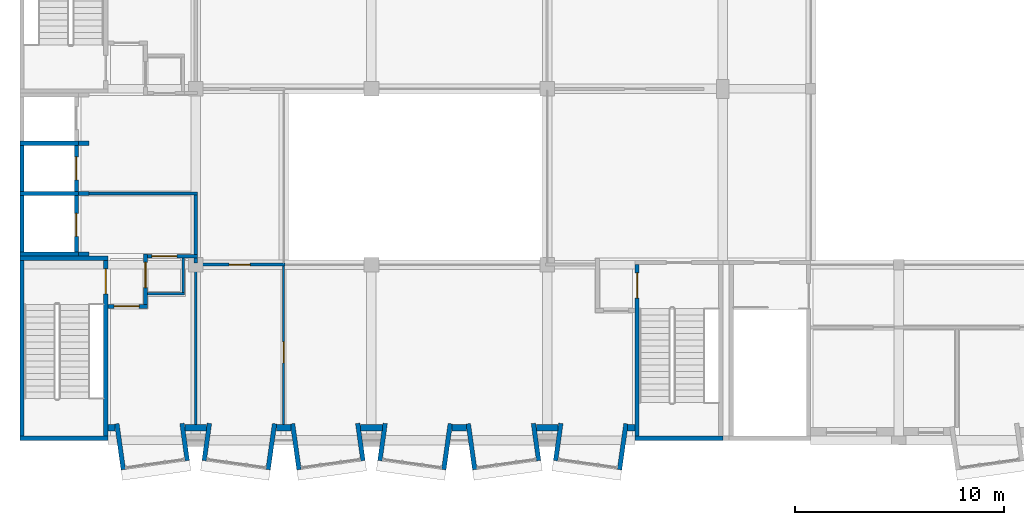
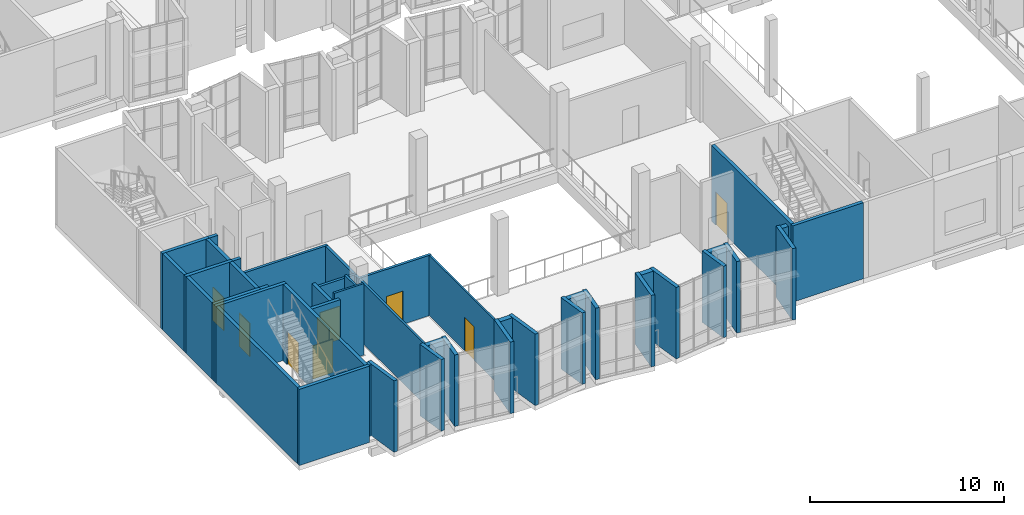
# One storey, part 64 of 100: 46 walls, 9 doors, 9 openings.
"""IFC4 building model written with IfcOpenShell, lengths in metres."""

from ifc_helpers import new_model, si_unit, direction, frame, frame_2d, origin, place, context, subcontext, project, spatial, rectangle, extrude, material, layer, layer_set, type_object, element, fill, save


model = new_model("IFC4")

# Units and contexts
model_context = context("Model", 3, precision=1e-05, world=origin(), true_north=direction((0.0, 1.0)))
body_context = subcontext(model_context, "Body", "Model", "MODEL_VIEW")
ifc_project = project(units=[si_unit("LENGTHUNIT", "METRE"), si_unit("AREAUNIT", "SQUARE_METRE"), si_unit("VOLUMEUNIT", "CUBIC_METRE"), si_unit("PLANEANGLEUNIT", "RADIAN"), si_unit("MASSUNIT", "GRAM", prefix="KILO")], contexts=[model_context])

# Site, building, storey
site_placement = place(None, origin())
site = spatial("IfcSite", under=ifc_project, at=site_placement, CompositionType="ELEMENT")
building_placement = place(site_placement, origin())
building = spatial("IfcBuilding", under=site, at=building_placement, Name="Kiln Court Media Centre", CompositionType="ELEMENT")
storey_placement = place(building_placement, frame((0.0, 0.0, 15.0)))
storey = spatial("IfcBuildingStorey", under=building, at=storey_placement, Name="L03", CompositionType="ELEMENT", Elevation=15.0)

# Wall, opening, door
ifc_material_1 = material(Name="Concrete block masonry M7.5", Category="masonry")
ifc_layer_1 = layer(ifc_material_1, 0.14990234375)
ifc_layer_set_1 = layer_set([ifc_layer_1], Name="Block lobby wall 150 EI 120")
wall_type_1 = type_object("IfcWallType", Name="Block lobby wall 150 EI 120", PredefinedType="SOLIDWALL", material=ifc_layer_set_1)
wall_1_placement = place(storey_placement, frame((6.10009765625, 8.800048828125, 0.0), z_axis=(0.0, 0.0, 1.0), x_axis=(1.0, 0.0, 0.0)))
wall_1 = element("IfcWall", 1, at=wall_1_placement, inside=storey, type_object=wall_type_1, Name="L03 block lobby wall", PredefinedType="SOLIDWALL", context=body_context, shape_type="SweptSolid", body=[
    extrude(rectangle(XDim=2.375, YDim=0.14990234375, at=frame_2d((1.1875, 0.0))), origin(), (0.0, 0.0, 1.0), 3.800048828125),
])
opening_1_placement = place(wall_1_placement, frame((0.199951171875, 0.0, 0.0)))
opening_1 = element("IfcOpeningElement", 2, at=opening_1_placement, cuts=wall_1, Name="Opening D3042", PredefinedType="OPENING", context=body_context, shape_type="SweptSolid", body=[
    extrude(rectangle(XDim=1.199951171875, YDim=2.10009765625, at=frame_2d((0.60009765625, 1.050048828125))), frame((0.0, 0.0849609375, 0.0), z_axis=(0.0, -1.0, 0.0), x_axis=(1.0, 0.0, 0.0)), (0.0, 0.0, 1.0), 0.169921875),
])
ifc_material_2 = material(Name="Steel S275", Category="steel")
door_type_1 = type_object("IfcDoorType", Name="Steel lobby door 1200 x 2100 FD120", OperationType="SINGLE_SWING_LEFT", PredefinedType="DOOR", material=ifc_material_2)
door_1_placement = place(opening_1_placement, origin())
door_1 = element("IfcDoor", 3, at=door_1_placement, inside=storey, type_object=door_type_1, Name="Wheelchair Refuge / Fire-fighting Lift Lobby", OperationType="SINGLE_SWING_RIGHT", OverallHeight=2.10009765625, OverallWidth=1.199951171875, PredefinedType="DOOR", context=body_context, shape_type="SweptSolid", body=[
    extrude(rectangle(XDim=1.199951171875, YDim=2.10009765625, at=frame_2d((0.60009765625, 1.050048828125))), frame((0.0, 0.02490234375, 0.0), z_axis=(0.0, -1.0, 0.0), x_axis=(1.0, 0.0, 0.0)), (0.0, 0.0, 1.0), 0.050048828125),
])
fill(opening_1, door_1)

# Walls
wall_2_placement = place(storey_placement, frame((3.300048828125, 11.800048828125, 0.0), z_axis=(0.0, 0.0, 1.0), x_axis=(1.0, 0.0, 0.0)))
element("IfcWall", 4, at=wall_2_placement, inside=storey, type_object=wall_type_1, Name="L03 block lobby wall", PredefinedType="SOLIDWALL", context=body_context, shape_type="SweptSolid", body=[
    extrude(rectangle(XDim=5.175048828125, YDim=0.14990234375, at=frame_2d((2.58740234375, 0.0))), origin(), (0.0, 0.0, 1.0), 3.800048828125),
])
wall_3_placement = place(storey_placement, frame((8.39990234375, 8.875, 0.0), z_axis=(0.0, 0.0, 1.0), x_axis=(0.0, 1.0, 0.0)))
element("IfcWall", 5, at=wall_3_placement, inside=storey, type_object=wall_type_1, Name="L03 block lobby wall", PredefinedType="SOLIDWALL", context=body_context, shape_type="SweptSolid", body=[
    extrude(rectangle(XDim=2.85009765625, YDim=0.14990234375, at=frame_2d((1.425048828125, 0.0))), origin(), (0.0, 0.0, 1.0), 3.800048828125),
])

# Wall, opening, door
ifc_material_3 = material(Name="Concrete block masonry M10", Category="masonry")
ifc_layer_2 = layer(ifc_material_3, 0.199951171875)
ifc_layer_set_2 = layer_set([ifc_layer_2], Name="Block vestibule wall 200 EI 240")
wall_type_2 = type_object("IfcWallType", Name="Block vestibule wall 200 EI 240", PredefinedType="SOLIDWALL", material=ifc_layer_set_2)
wall_4_placement = place(storey_placement, frame((4.2001953125, 6.39990234375, 0.0), z_axis=(0.0, 0.0, 1.0), x_axis=(1.0, 0.0, 0.0)))
wall_4 = element("IfcWall", 6, at=wall_4_placement, inside=storey, type_object=wall_type_2, Name="L03 block vestibule wall", PredefinedType="SOLIDWALL", context=body_context, shape_type="SweptSolid", body=[
    extrude(rectangle(XDim=1.89990234375, YDim=0.199951171875, at=frame_2d((0.949951171875, 0.0))), origin(), (0.0, 0.0, 1.0), 4.5),
])
opening_2_placement = place(wall_4_placement, frame((0.2998046875, 0.0, 0.0)))
opening_2 = element("IfcOpeningElement", 7, at=opening_2_placement, cuts=wall_4, Name="Opening D3024", PredefinedType="OPENING", context=body_context, shape_type="SweptSolid", body=[
    extrude(rectangle(XDim=1.199951171875, YDim=2.10009765625, at=frame_2d((0.60009765625, 1.050048828125))), frame((0.0, 0.10986328125, 0.0), z_axis=(0.0, -1.0, 0.0), x_axis=(1.0, 0.0, 0.0)), (0.0, 0.0, 1.0), 0.219970703125),
])
ifc_material_4 = material(Name="Steel S275", Category="steel")
door_type_2 = type_object("IfcDoorType", Name="Steel vestibule door 1200 x 2100 FD180", OperationType="SINGLE_SWING_LEFT", PredefinedType="DOOR", material=ifc_material_4)
door_2_placement = place(opening_2_placement, origin())
door_2 = element("IfcDoor", 8, at=door_2_placement, inside=storey, type_object=door_type_2, Name="Toilets and Accessible WC / Stair 1 Vestibule", OperationType="SINGLE_SWING_LEFT", OverallHeight=2.10009765625, OverallWidth=1.199951171875, PredefinedType="DOOR", context=body_context, shape_type="SweptSolid", body=[
    extrude(rectangle(XDim=1.199951171875, YDim=2.10009765625, at=frame_2d((0.60009765625, 1.050048828125))), frame((0.0, 0.02490234375, 0.0), z_axis=(0.0, -1.0, 0.0), x_axis=(1.0, 0.0, 0.0)), (0.0, 0.0, 1.0), 0.050048828125),
])
fill(opening_2, door_2)

wall_5_placement = place(storey_placement, frame((6.0, 6.5, 0.0), z_axis=(0.0, 0.0, 1.0), x_axis=(0.0, 1.0, 0.0)))
wall_5 = element("IfcWall", 9, at=wall_5_placement, inside=storey, type_object=wall_type_2, Name="L03 block vestibule wall", PredefinedType="SOLIDWALL", context=body_context, shape_type="SweptSolid", body=[
    extrude(rectangle(XDim=2.39990234375, YDim=0.199951171875, at=frame_2d((1.199951171875, 0.0))), origin(), (0.0, 0.0, 1.0), 4.0),
])
opening_3_placement = place(wall_5_placement, frame((0.800048828125, 0.0, 0.0)))
opening_3 = element("IfcOpeningElement", 10, at=opening_3_placement, cuts=wall_5, Name="Opening D3025", PredefinedType="OPENING", context=body_context, shape_type="SweptSolid", body=[
    extrude(rectangle(XDim=1.199951171875, YDim=2.10009765625, at=frame_2d((0.60009765625, 1.050048828125))), frame((0.0, 0.10986328125, 0.0), z_axis=(0.0, -1.0, 0.0), x_axis=(1.0, 0.0, 0.0)), (0.0, 0.0, 1.0), 0.219970703125),
])
door_3_placement = place(opening_3_placement, origin())
door_3 = element("IfcDoor", 11, at=door_3_placement, inside=storey, type_object=door_type_2, Name="Stair 1 Vestibule / Wheelchair Refuge", OperationType="SINGLE_SWING_RIGHT", OverallHeight=2.10009765625, OverallWidth=1.199951171875, PredefinedType="DOOR", context=body_context, shape_type="SweptSolid", body=[
    extrude(rectangle(XDim=1.199951171875, YDim=2.10009765625, at=frame_2d((0.60009765625, 1.050048828125))), frame((0.0, 0.02490234375, 0.0), z_axis=(0.0, -1.0, 0.0), x_axis=(1.0, 0.0, 0.0)), (0.0, 0.0, 1.0), 0.050048828125),
])
fill(opening_3, door_3)

# Walls
ifc_material_5 = material(Name="Brick masonry facing leaf with RC backing", Category="masonry")
ifc_layer_3 = layer(ifc_material_5, 0.215087890625)
ifc_layer_set_3 = layer_set([ifc_layer_3], Name="Brick masonry bay cheek wall 215")
wall_type_3 = type_object("IfcWallType", Name="Brick masonry bay cheek wall 215", PredefinedType="SOLIDWALL", material=ifc_layer_set_3)
wall_6_placement = place(storey_placement, frame((4.630615234375, 0.794921875, 0.0), z_axis=(0.0, 0.0, 1.0), x_axis=(0.139141913905, -0.990272451295, 0.0)))
element("IfcWall", 12, at=wall_6_placement, inside=storey, type_object=wall_type_3, Name="BAY V6A-S-L03-17 cheek L", PredefinedType="SOLIDWALL", context=body_context, shape_type="SweptSolid", body=[
    extrude(rectangle(XDim=2.219482421875, YDim=0.215087890625, at=frame_2d((1.10986328125, 0.0))), origin(), (0.0, 0.0, 1.0), 4.5),
])
for number, where, z_axis, x_axis, name in (
    (13, (7.743896484375, 0.808837890625, 0.0), (0.0, 0.0, 1.0), (0.139161311926, -0.990269725511, 0.0), "BAY V6A-S-L03-17 cheek R"),
    (14, (9.055908203125, 0.808837890625, 0.0), (0.0, 0.0, 1.0), (-0.139161311926, -0.990269725511, 0.0), "BAY V6A-S-L03-18 cheek L"),
):
    element("IfcWall", number, at=place(storey_placement, frame(where, z_axis=z_axis, x_axis=x_axis)), inside=storey, type_object=wall_type_3, Name=name, PredefinedType="SOLIDWALL", context=body_context, shape_type="SweptSolid", body=[
        extrude(rectangle(XDim=1.800048828125, YDim=0.215087890625, at=frame_2d((0.89990234375, 0.0))), origin(), (0.0, 0.0, 1.0), 4.5),
    ])
wall_7_placement = place(storey_placement, frame((12.16943359375, 0.794921875, 0.0), z_axis=(0.0, 0.0, 1.0), x_axis=(-0.139141913905, -0.990272451295, 0.0)))
element("IfcWall", 15, at=wall_7_placement, inside=storey, type_object=wall_type_3, Name="BAY V6A-S-L03-18 cheek R", PredefinedType="SOLIDWALL", context=body_context, shape_type="SweptSolid", body=[
    extrude(rectangle(XDim=2.219482421875, YDim=0.215087890625, at=frame_2d((1.10986328125, 0.0))), origin(), (0.0, 0.0, 1.0), 4.5),
])
wall_8_placement = place(storey_placement, frame((13.030517578125, 0.794921875, 0.0), z_axis=(0.0, 0.0, 1.0), x_axis=(0.139249775508, -0.99025728981, 0.0)))
element("IfcWall", 16, at=wall_8_placement, inside=storey, type_object=wall_type_3, Name="BAY V6A-S-L03-19 cheek L", PredefinedType="SOLIDWALL", context=body_context, shape_type="SweptSolid", body=[
    extrude(rectangle(XDim=2.2197265625, YDim=0.215087890625, at=frame_2d((1.10986328125, 0.0))), origin(), (0.0, 0.0, 1.0), 4.5),
])
for number, where, z_axis, x_axis, name in (
    (17, (16.14404296875, 0.808837890625, 0.0), (0.0, 0.0, 1.0), (0.139161311926, -0.990269725511, 0.0), "BAY V6A-S-L03-19 cheek R"),
    (18, (17.4560546875, 0.808837890625, 0.0), (0.0, 0.0, 1.0), (-0.139161311926, -0.990269725511, 0.0), "BAY V6A-S-L03-20 cheek L"),
):
    element("IfcWall", number, at=place(storey_placement, frame(where, z_axis=z_axis, x_axis=x_axis)), inside=storey, type_object=wall_type_3, Name=name, PredefinedType="SOLIDWALL", context=body_context, shape_type="SweptSolid", body=[
        extrude(rectangle(XDim=1.800048828125, YDim=0.215087890625, at=frame_2d((0.89990234375, 0.0))), origin(), (0.0, 0.0, 1.0), 4.5),
    ])
for number, where, z_axis, x_axis, name in (
    (19, (20.5693359375, 0.794921875, 0.0), (0.0, 0.0, 1.0), (-0.139141913905, -0.990272451295, 0.0), "BAY V6A-S-L03-20 cheek R"),
    (20, (21.4306640625, 0.794921875, 0.0), (0.0, 0.0, 1.0), (0.139141913905, -0.990272451295, 0.0), "BAY V6A-S-L03-21 cheek L"),
):
    element("IfcWall", number, at=place(storey_placement, frame(where, z_axis=z_axis, x_axis=x_axis)), inside=storey, type_object=wall_type_3, Name=name, PredefinedType="SOLIDWALL", context=body_context, shape_type="SweptSolid", body=[
        extrude(rectangle(XDim=2.219482421875, YDim=0.215087890625, at=frame_2d((1.10986328125, 0.0))), origin(), (0.0, 0.0, 1.0), 4.5),
    ])
for number, where, z_axis, x_axis, name in (
    (21, (24.5439453125, 0.808837890625, 0.0), (0.0, 0.0, 1.0), (0.139161311926, -0.990269725511, 0.0), "BAY V6A-S-L03-21 cheek R"),
    (22, (25.85595703125, 0.808837890625, 0.0), (0.0, 0.0, 1.0), (-0.139161311926, -0.990269725511, 0.0), "BAY V6A-S-L03-22 cheek L"),
):
    element("IfcWall", number, at=place(storey_placement, frame(where, z_axis=z_axis, x_axis=x_axis)), inside=storey, type_object=wall_type_3, Name=name, PredefinedType="SOLIDWALL", context=body_context, shape_type="SweptSolid", body=[
        extrude(rectangle(XDim=1.800048828125, YDim=0.215087890625, at=frame_2d((0.89990234375, 0.0))), origin(), (0.0, 0.0, 1.0), 4.5),
    ])
wall_9_placement = place(storey_placement, frame((28.969482421875, 0.794921875, 0.0), z_axis=(0.0, 0.0, 1.0), x_axis=(-0.139249775508, -0.99025728981, 0.0)))
element("IfcWall", 23, at=wall_9_placement, inside=storey, type_object=wall_type_3, Name="BAY V6A-S-L03-22 cheek R", PredefinedType="SOLIDWALL", context=body_context, shape_type="SweptSolid", body=[
    extrude(rectangle(XDim=2.2197265625, YDim=0.215087890625, at=frame_2d((1.10986328125, 0.0))), origin(), (0.0, 0.0, 1.0), 4.5),
])
ifc_material_6 = material(Name="Brick masonry facing leaf with RC backing", Category="masonry")
ifc_layer_4 = layer(ifc_material_6, 0.300048828125)
ifc_layer_set_4 = layer_set([ifc_layer_4], Name="Brick masonry cavity wall 300")
wall_type_4 = type_object("IfcWallType", Name="Brick masonry cavity wall 300", PredefinedType="SOLIDWALL", material=ifc_layer_set_4)
wall_10_placement = place(storey_placement, frame((4.549560546875, 0.60009765625, 0.0), z_axis=(0.0, 0.0, 1.0), x_axis=(-1.0, 0.0, 0.0)))
element("IfcWall", 24, at=wall_10_placement, inside=storey, type_object=wall_type_4, Name="V6A-S facade L03 3037", PredefinedType="SOLIDWALL", context=body_context, shape_type="SweptSolid", body=[
    extrude(rectangle(XDim=0.349365234375, YDim=0.300048828125, at=frame_2d((0.1748046875, 0.0))), origin(), (0.0, 0.0, 1.0), 4.5),
])
wall_11_placement = place(storey_placement, frame((8.918212890625, 0.60009765625, 0.0), z_axis=(0.0, 0.0, 1.0), x_axis=(-1.0, 0.0, 0.0)))
element("IfcWall", 25, at=wall_11_placement, inside=storey, type_object=wall_type_4, Name="V6A-S facade L03 3038", PredefinedType="SOLIDWALL", context=body_context, shape_type="SweptSolid", body=[
    extrude(rectangle(XDim=1.036376953125, YDim=0.300048828125, at=frame_2d((0.51806640625, 0.0))), origin(), (0.0, 0.0, 1.0), 4.5),
])
wall_12_placement = place(storey_placement, frame((12.949462890625, 0.60009765625, 0.0), z_axis=(0.0, 0.0, 1.0), x_axis=(-1.0, 0.0, 0.0)))
element("IfcWall", 26, at=wall_12_placement, inside=storey, type_object=wall_type_4, Name="V6A-S facade L03 3039", PredefinedType="SOLIDWALL", context=body_context, shape_type="SweptSolid", body=[
    extrude(rectangle(XDim=0.698974609375, YDim=0.300048828125, at=frame_2d((0.349609375, 0.0))), origin(), (0.0, 0.0, 1.0), 4.5),
])
wall_13_placement = place(storey_placement, frame((17.318115234375, 0.60009765625, 0.0), z_axis=(0.0, 0.0, 1.0), x_axis=(-1.0, 0.0, 0.0)))
element("IfcWall", 27, at=wall_13_placement, inside=storey, type_object=wall_type_4, Name="V6A-S facade L03 3040", PredefinedType="SOLIDWALL", context=body_context, shape_type="SweptSolid", body=[
    extrude(rectangle(XDim=1.0361328125, YDim=0.300048828125, at=frame_2d((0.51806640625, 0.0))), origin(), (0.0, 0.0, 1.0), 4.5),
])
wall_14_placement = place(storey_placement, frame((21.349609375, 0.60009765625, 0.0), z_axis=(0.0, 0.0, 1.0), x_axis=(-1.0, 0.0, 0.0)))
element("IfcWall", 28, at=wall_14_placement, inside=storey, type_object=wall_type_4, Name="V6A-S facade L03 3041", PredefinedType="SOLIDWALL", context=body_context, shape_type="SweptSolid", body=[
    extrude(rectangle(XDim=0.69921875, YDim=0.300048828125, at=frame_2d((0.349609375, 0.0))), origin(), (0.0, 0.0, 1.0), 4.5),
])
wall_15_placement = place(storey_placement, frame((25.718017578125, 0.60009765625, 0.0), z_axis=(0.0, 0.0, 1.0), x_axis=(-1.0, 0.0, 0.0)))
element("IfcWall", 29, at=wall_15_placement, inside=storey, type_object=wall_type_4, Name="V6A-S facade L03 3042", PredefinedType="SOLIDWALL", context=body_context, shape_type="SweptSolid", body=[
    extrude(rectangle(XDim=1.0361328125, YDim=0.300048828125, at=frame_2d((0.51806640625, 0.0))), origin(), (0.0, 0.0, 1.0), 4.5),
])
wall_16_placement = place(storey_placement, frame((29.39990234375, 0.60009765625, 0.0), z_axis=(0.0, 0.0, 1.0), x_axis=(-1.0, 0.0, 0.0)))
element("IfcWall", 30, at=wall_16_placement, inside=storey, type_object=wall_type_4, Name="V6A-S facade L03 3043", PredefinedType="SOLIDWALL", context=body_context, shape_type="SweptSolid", body=[
    extrude(rectangle(XDim=0.349365234375, YDim=0.300048828125, at=frame_2d((0.1748046875, 0.0))), origin(), (0.0, 0.0, 1.0), 4.5),
])
ifc_material_7 = material(Name="Concrete C40/50", Category="concrete")
ifc_layer_5 = layer(ifc_material_7, 0.199951171875)
ifc_layer_set_5 = layer_set([ifc_layer_5], Name="Concrete C40/50 shear wall 200")
wall_type_5 = type_object("IfcWallType", Name="Concrete C40/50 shear wall 200", PredefinedType="SHEAR", material=ifc_layer_set_5)
for number, where, z_axis, x_axis, name in (
    (31, (4.199951171875, 0.10009765625, 0.0), (0.0, 0.0, 1.0), (-1.0, 0.0, 0.0), "L03-W-1000"),
    (32, (0.00048828125, 8.699951171875, 0.0), (0.0, 0.0, 1.0), (1.0, 0.0, 0.0), "L03-W-1001"),
):
    element("IfcWall", number, at=place(storey_placement, frame(where, z_axis=z_axis, x_axis=x_axis)), inside=storey, type_object=wall_type_5, Name=name, PredefinedType="SHEAR", context=body_context, shape_type="SweptSolid", body=[
        extrude(rectangle(XDim=4.199462890625, YDim=0.199951171875, at=frame_2d((2.099609375, 0.0))), origin(), (0.0, 0.0, 1.0), 4.800048828125),
    ])
wall_17_placement = place(storey_placement, frame((0.100341796875, 0.199951171875, 0.0), z_axis=(0.0, 0.0, 1.0), x_axis=(0.0, 1.0, 0.0)))
element("IfcWall", 33, at=wall_17_placement, inside=storey, type_object=wall_type_5, Name="L03-W-1002", PredefinedType="SHEAR", context=body_context, shape_type="SweptSolid", body=[
    extrude(rectangle(XDim=8.400146484375, YDim=0.199951171875, at=frame_2d((4.2001953125, 0.0))), origin(), (0.0, 0.0, 1.0), 4.800048828125),
])

# Wall, opening, door
wall_18_placement = place(storey_placement, frame((4.10009765625, 8.60009765625, 0.0), z_axis=(0.0, 0.0, 1.0), x_axis=(0.0, -1.0, 0.0)))
wall_18 = element("IfcWall", 34, at=wall_18_placement, inside=storey, type_object=wall_type_5, Name="L03-W-1003", PredefinedType="SHEAR", context=body_context, shape_type="SweptSolid", body=[
    extrude(rectangle(XDim=8.400146484375, YDim=0.199951171875, at=frame_2d((4.2001953125, 0.0))), origin(), (0.0, 0.0, 1.0), 4.800048828125),
])
opening_4_placement = place(wall_18_placement, frame((0.400146484375, 0.0, 0.0)))
opening_4 = element("IfcOpeningElement", 35, at=opening_4_placement, cuts=wall_18, Name="Opening D3006", PredefinedType="OPENING", context=body_context, shape_type="SweptSolid", body=[
    extrude(rectangle(XDim=1.199951171875, YDim=2.10009765625, at=frame_2d((0.60009765625, 1.050048828125))), frame((0.0, 0.10986328125, 0.0), z_axis=(0.0, -1.0, 0.0), x_axis=(1.0, 0.0, 0.0)), (0.0, 0.0, 1.0), 0.219970703125),
])
ifc_material_8 = material(Name="Steel S275", Category="steel")
door_type_3 = type_object("IfcDoorType", Name="Steel stair door 1200 x 2100 FD180", OperationType="SINGLE_SWING_LEFT", PredefinedType="DOOR", material=ifc_material_8)
door_4_placement = place(opening_4_placement, origin())
door_4 = element("IfcDoor", 36, at=door_4_placement, inside=storey, type_object=door_type_3, Name="Stair 1 / Stair 1 Vestibule", OperationType="SINGLE_SWING_RIGHT", OverallHeight=2.10009765625, OverallWidth=1.199951171875, PredefinedType="DOOR", context=body_context, shape_type="SweptSolid", body=[
    extrude(rectangle(XDim=1.199951171875, YDim=2.10009765625, at=frame_2d((0.60009765625, 1.050048828125))), frame((0.0, 0.02490234375, 0.0), z_axis=(0.0, -1.0, 0.0), x_axis=(1.0, 0.0, 0.0)), (0.0, 0.0, 1.0), 0.050048828125),
])
fill(opening_4, door_4)

# Wall
wall_19_placement = place(storey_placement, frame((33.60009765625, 0.10009765625, 0.0), z_axis=(0.0, 0.0, 1.0), x_axis=(-1.0, 0.0, 0.0)))
element("IfcWall", 37, at=wall_19_placement, inside=storey, type_object=wall_type_5, Name="L03-W-1008", PredefinedType="SHEAR", context=body_context, shape_type="SweptSolid", body=[
    extrude(rectangle(XDim=4.2001953125, YDim=0.199951171875, at=frame_2d((2.10009765625, 0.0))), origin(), (0.0, 0.0, 1.0), 4.800048828125),
])

# Wall, opening, door
wall_20_placement = place(storey_placement, frame((29.5, 0.199951171875, 0.0), z_axis=(0.0, 0.0, 1.0), x_axis=(0.0, 1.0, 0.0)))
wall_20 = element("IfcWall", 38, at=wall_20_placement, inside=storey, type_object=wall_type_5, Name="L03-W-1010", PredefinedType="SHEAR", context=body_context, shape_type="SweptSolid", body=[
    extrude(rectangle(XDim=8.199951171875, YDim=0.199951171875, at=frame_2d((4.10009765625, 0.0))), origin(), (0.0, 0.0, 1.0), 4.800048828125),
])
opening_5_placement = place(wall_20_placement, frame((6.60009765625, 0.0, 0.0)))
opening_5 = element("IfcOpeningElement", 39, at=opening_5_placement, cuts=wall_20, Name="Opening D3007", PredefinedType="OPENING", context=body_context, shape_type="SweptSolid", body=[
    extrude(rectangle(XDim=1.199951171875, YDim=2.10009765625, at=frame_2d((0.60009765625, 1.050048828125))), frame((0.0, 0.10986328125, 0.0), z_axis=(0.0, -1.0, 0.0), x_axis=(1.0, 0.0, 0.0)), (0.0, 0.0, 1.0), 0.219970703125),
])
door_5_placement = place(opening_5_placement, origin())
door_5 = element("IfcDoor", 40, at=door_5_placement, inside=storey, type_object=door_type_3, Name="Stair 3 / Stair 3 Vestibule", OperationType="SINGLE_SWING_RIGHT", OverallHeight=2.10009765625, OverallWidth=1.199951171875, PredefinedType="DOOR", context=body_context, shape_type="SweptSolid", body=[
    extrude(rectangle(XDim=1.199951171875, YDim=2.10009765625, at=frame_2d((0.60009765625, 1.050048828125))), frame((0.0, 0.02490234375, 0.0), z_axis=(0.0, -1.0, 0.0), x_axis=(1.0, 0.0, 0.0)), (0.0, 0.0, 1.0), 0.050048828125),
])
fill(opening_5, door_5)

# Walls
for number, where, z_axis, x_axis, name in (
    (41, (2.800048828125, 8.89990234375, 0.0), (0.0, 0.0, 1.0), (-1.0, 0.0, 0.0), "L03-W-1040"),
    (42, (0.00048828125, 11.800048828125, 0.0), (0.0, 0.0, 1.0), (1.0, 0.0, 0.0), "L03-W-1041"),
):
    element("IfcWall", number, at=place(storey_placement, frame(where, z_axis=z_axis, x_axis=x_axis)), inside=storey, type_object=wall_type_5, Name=name, PredefinedType="SHEAR", context=body_context, shape_type="SweptSolid", body=[
        extrude(rectangle(XDim=2.799560546875, YDim=0.199951171875, at=frame_2d((1.39990234375, 0.0))), origin(), (0.0, 0.0, 1.0), 4.800048828125),
    ])
wall_21_placement = place(storey_placement, frame((0.100341796875, 9.0, 0.0), z_axis=(0.0, 0.0, 1.0), x_axis=(0.0, 1.0, 0.0)))
element("IfcWall", 43, at=wall_21_placement, inside=storey, type_object=wall_type_5, Name="L03-W-1042", PredefinedType="SHEAR", context=body_context, shape_type="SweptSolid", body=[
    extrude(rectangle(XDim=2.699951171875, YDim=0.199951171875, at=frame_2d((1.35009765625, 0.0))), origin(), (0.0, 0.0, 1.0), 4.800048828125),
])

# Wall, opening, door
wall_22_placement = place(storey_placement, frame((2.699951171875, 11.699951171875, 0.0), z_axis=(0.0, 0.0, 1.0), x_axis=(0.0, -1.0, 0.0)))
wall_22 = element("IfcWall", 44, at=wall_22_placement, inside=storey, type_object=wall_type_5, Name="L03-W-1043", PredefinedType="SHEAR", context=body_context, shape_type="SweptSolid", body=[
    extrude(rectangle(XDim=2.699951171875, YDim=0.199951171875, at=frame_2d((1.35009765625, 0.0))), origin(), (0.0, 0.0, 1.0), 4.800048828125),
])
opening_6_placement = place(wall_22_placement, frame((0.85009765625, 0.0, 0.0)))
opening_6 = element("IfcOpeningElement", 45, at=opening_6_placement, cuts=wall_22, Name="Opening LD301", PredefinedType="OPENING", context=body_context, shape_type="SweptSolid", body=[
    extrude(rectangle(XDim=1.10009765625, YDim=2.10009765625, at=frame_2d((0.550048828125, 1.050048828125))), frame((0.0, 0.10986328125, 0.0), z_axis=(0.0, -1.0, 0.0), x_axis=(1.0, 0.0, 0.0)), (0.0, 0.0, 1.0), 0.219970703125),
])
ifc_material_9 = material(Name="Stainless steel", Category="steel")
door_type_4 = type_object("IfcDoorType", Name="Firefighting lift landing door 1100 x 2100 FD120", OperationType="SLIDING_TO_LEFT", PredefinedType="DOOR", material=ifc_material_9)
door_6_placement = place(opening_6_placement, origin())
door_6 = element("IfcDoor", 46, at=door_6_placement, inside=storey, type_object=door_type_4, Name="LF-01 landing door L03", OperationType="SLIDING_TO_LEFT", OverallHeight=2.10009765625, OverallWidth=1.10009765625, PredefinedType="DOOR", context=body_context, shape_type="SweptSolid", body=[
    extrude(rectangle(XDim=1.10009765625, YDim=2.10009765625, at=frame_2d((0.550048828125, 1.050048828125))), frame((0.0, 0.02490234375, 0.0), z_axis=(0.0, -1.0, 0.0), x_axis=(1.0, 0.0, 0.0)), (0.0, 0.0, 1.0), 0.050048828125),
])
fill(opening_6, door_6)

# Walls
wall_23_placement = place(storey_placement, frame((0.00048828125, 14.199951171875, 0.0), z_axis=(0.0, 0.0, 1.0), x_axis=(1.0, 0.0, 0.0)))
element("IfcWall", 47, at=wall_23_placement, inside=storey, type_object=wall_type_5, Name="L03-W-1044", PredefinedType="SHEAR", context=body_context, shape_type="SweptSolid", body=[
    extrude(rectangle(XDim=2.799560546875, YDim=0.199951171875, at=frame_2d((1.39990234375, 0.0))), origin(), (0.0, 0.0, 1.0), 4.800048828125),
])
wall_24_placement = place(storey_placement, frame((0.100341796875, 11.89990234375, 0.0), z_axis=(0.0, 0.0, 1.0), x_axis=(0.0, 1.0, 0.0)))
element("IfcWall", 48, at=wall_24_placement, inside=storey, type_object=wall_type_5, Name="L03-W-1045", PredefinedType="SHEAR", context=body_context, shape_type="SweptSolid", body=[
    extrude(rectangle(XDim=2.2001953125, YDim=0.199951171875, at=frame_2d((1.10009765625, 0.0))), origin(), (0.0, 0.0, 1.0), 4.800048828125),
])

# Wall, opening, door
wall_25_placement = place(storey_placement, frame((2.699951171875, 14.10009765625, 0.0), z_axis=(0.0, 0.0, 1.0), x_axis=(0.0, -1.0, 0.0)))
wall_25 = element("IfcWall", 49, at=wall_25_placement, inside=storey, type_object=wall_type_5, Name="L03-W-1046", PredefinedType="SHEAR", context=body_context, shape_type="SweptSolid", body=[
    extrude(rectangle(XDim=2.2001953125, YDim=0.199951171875, at=frame_2d((1.10009765625, 0.0))), origin(), (0.0, 0.0, 1.0), 4.800048828125),
])
opening_7_placement = place(wall_25_placement, frame((0.550048828125, 0.0, 0.0)))
opening_7 = element("IfcOpeningElement", 50, at=opening_7_placement, cuts=wall_25, Name="Opening LD302", PredefinedType="OPENING", context=body_context, shape_type="SweptSolid", body=[
    extrude(rectangle(XDim=1.10009765625, YDim=2.10009765625, at=frame_2d((0.550048828125, 1.050048828125))), frame((0.0, 0.10986328125, 0.0), z_axis=(0.0, -1.0, 0.0), x_axis=(1.0, 0.0, 0.0)), (0.0, 0.0, 1.0), 0.219970703125),
])
ifc_material_10 = material(Name="Stainless steel", Category="steel")
door_type_5 = type_object("IfcDoorType", Name="Lift landing door 1100 x 2100 FD120", OperationType="SLIDING_TO_LEFT", PredefinedType="DOOR", material=ifc_material_10)
door_7_placement = place(opening_7_placement, origin())
door_7 = element("IfcDoor", 51, at=door_7_placement, inside=storey, type_object=door_type_5, Name="LF-02 landing door L03", OperationType="SLIDING_TO_LEFT", OverallHeight=2.10009765625, OverallWidth=1.10009765625, PredefinedType="DOOR", context=body_context, shape_type="SweptSolid", body=[
    extrude(rectangle(XDim=1.10009765625, YDim=2.10009765625, at=frame_2d((0.550048828125, 1.050048828125))), frame((0.0, 0.02490234375, 0.0), z_axis=(0.0, -1.0, 0.0), x_axis=(1.0, 0.0, 0.0)), (0.0, 0.0, 1.0), 0.050048828125),
])
fill(opening_7, door_7)

# Walls
for number, where, z_axis, x_axis, name in (
    (52, (3.300048828125, 8.89990234375, 0.0), (0.0, 0.0, 1.0), (-1.0, 0.0, 0.0), "L03-W-1093"),
    (53, (2.800048828125, 11.800048828125, 0.0), (0.0, 0.0, 1.0), (1.0, 0.0, 0.0), "L03-W-1094"),
    (54, (2.800048828125, 14.199951171875, 0.0), (0.0, 0.0, 1.0), (1.0, 0.0, 0.0), "L03-W-1095"),
):
    element("IfcWall", number, at=place(storey_placement, frame(where, z_axis=z_axis, x_axis=x_axis)), inside=storey, type_object=wall_type_5, Name=name, PredefinedType="SHEAR", context=body_context, shape_type="SweptSolid", body=[
        extrude(rectangle(XDim=0.5, YDim=0.199951171875, at=frame_2d((0.25, 0.0))), origin(), (0.0, 0.0, 1.0), 4.800048828125),
    ])

# Wall, opening, door
ifc_material_11 = material(Name="Gypsum plasterboard", Category="gypsum")
ifc_layer_6 = layer(ifc_material_11, 0.14990234375)
ifc_layer_set_6 = layer_set([ifc_layer_6], Name="Gypsum corridor partition 150 EI 60")
wall_type_6 = type_object("IfcWallType", Name="Gypsum corridor partition 150 EI 60", PredefinedType="PARTITIONING", material=ifc_layer_set_6)
wall_26_placement = place(storey_placement, frame((8.324951171875, 8.39990234375, 0.0), z_axis=(0.0, 0.0, 1.0), x_axis=(1.0, 0.0, 0.0)))
wall_26 = element("IfcWall", 55, at=wall_26_placement, inside=storey, type_object=wall_type_6, Name="L03 gypsum corridor partition", PredefinedType="PARTITIONING", context=body_context, shape_type="SweptSolid", body=[
    extrude(rectangle(XDim=4.35009765625, YDim=0.14990234375, at=frame_2d((2.175048828125, 0.0))), origin(), (0.0, 0.0, 1.0), 3.800048828125),
])
opening_8_placement = place(wall_26_placement, frame((1.675048828125, 0.0, 0.0)))
opening_8 = element("IfcOpeningElement", 56, at=opening_8_placement, cuts=wall_26, Name="Opening D3045", PredefinedType="OPENING", context=body_context, shape_type="SweptSolid", body=[
    extrude(rectangle(XDim=1.0, YDim=2.10009765625, at=frame_2d((0.5, 1.050048828125))), frame((0.0, 0.0849609375, 0.0), z_axis=(0.0, -1.0, 0.0), x_axis=(1.0, 0.0, 0.0)), (0.0, 0.0, 1.0), 0.169921875),
])
ifc_material_12 = material(Name="Steel S275", Category="steel")
door_type_6 = type_object("IfcDoorType", Name="Steel corridor door 1000 x 2100 FD30S", OperationType="SINGLE_SWING_LEFT", PredefinedType="DOOR", material=ifc_material_12)
door_8_placement = place(opening_8_placement, origin())
door_8 = element("IfcDoor", 57, at=door_8_placement, inside=storey, type_object=door_type_6, Name="Quiet Study Carrels / Gallery Landing", OperationType="SINGLE_SWING_RIGHT", OverallHeight=2.10009765625, OverallWidth=1.0, PredefinedType="DOOR", context=body_context, shape_type="SweptSolid", body=[
    extrude(rectangle(XDim=1.0, YDim=2.10009765625, at=frame_2d((0.5, 1.050048828125))), frame((0.0, 0.02490234375, 0.0), z_axis=(0.0, -1.0, 0.0), x_axis=(1.0, 0.0, 0.0)), (0.0, 0.0, 1.0), 0.050048828125),
])
fill(opening_8, door_8)

# Wall
wall_27_placement = place(storey_placement, frame((8.39990234375, 8.47509765625, 0.0), z_axis=(0.0, 0.0, 1.0), x_axis=(0.0, 1.0, 0.0)))
element("IfcWall", 58, at=wall_27_placement, inside=storey, type_object=wall_type_6, Name="L03 gypsum corridor partition", PredefinedType="PARTITIONING", context=body_context, shape_type="SweptSolid", body=[
    extrude(rectangle(XDim=0.25, YDim=0.14990234375, at=frame_2d((0.125, 0.0))), origin(), (0.0, 0.0, 1.0), 3.800048828125),
])

# Wall, opening, door
ifc_material_13 = material(Name="Gypsum plasterboard", Category="gypsum")
ifc_layer_7 = layer(ifc_material_13, 0.10009765625)
ifc_layer_set_7 = layer_set([ifc_layer_7], Name="Gypsum stud partition 100")
wall_type_7 = type_object("IfcWallType", Name="Gypsum stud partition 100", PredefinedType="PARTITIONING", material=ifc_layer_set_7)
wall_28_placement = place(storey_placement, frame((12.60009765625, 0.75, 0.0), z_axis=(0.0, 0.0, 1.0), x_axis=(0.0, 1.0, 0.0)))
wall_28 = element("IfcWall", 59, at=wall_28_placement, inside=storey, type_object=wall_type_7, Name="L03 gypsum stud partition", PredefinedType="PARTITIONING", context=body_context, shape_type="SweptSolid", body=[
    extrude(rectangle(XDim=7.574951171875, YDim=0.10009765625, at=frame_2d((3.78759765625, 0.0))), origin(), (0.0, 0.0, 1.0), 3.800048828125),
])
opening_9_placement = place(wall_28_placement, frame((2.949951171875, 0.0, 0.0)))
opening_9 = element("IfcOpeningElement", 60, at=opening_9_placement, cuts=wall_28, Name="Opening D3041", PredefinedType="OPENING", context=body_context, shape_type="SweptSolid", body=[
    extrude(rectangle(XDim=1.0, YDim=2.10009765625, at=frame_2d((0.5, 1.050048828125))), frame((0.0, 0.06005859375, 0.0), z_axis=(0.0, -1.0, 0.0), x_axis=(1.0, 0.0, 0.0)), (0.0, 0.0, 1.0), 0.1201171875),
])
ifc_material_14 = material(Name="Timber", Category="wood")
door_type_7 = type_object("IfcDoorType", Name="Timber door 1000 x 2100", OperationType="SINGLE_SWING_LEFT", PredefinedType="DOOR", material=ifc_material_14)
door_9_placement = place(opening_9_placement, origin())
door_9 = element("IfcDoor", 61, at=door_9_placement, inside=storey, type_object=door_type_7, Name="Quiet Study Carrels / Social Sciences Reading Room", OperationType="SINGLE_SWING_RIGHT", OverallHeight=2.10009765625, OverallWidth=1.0, PredefinedType="DOOR", context=body_context, shape_type="SweptSolid", body=[
    extrude(rectangle(XDim=1.0, YDim=2.10009765625, at=frame_2d((0.5, 1.050048828125))), frame((0.0, 0.02490234375, 0.0), z_axis=(0.0, -1.0, 0.0), x_axis=(1.0, 0.0, 0.0)), (0.0, 0.0, 1.0), 0.050048828125),
])
fill(opening_9, door_9)

# Walls
ifc_material_15 = material(Name="Gypsum plasterboard", Category="gypsum")
ifc_layer_8 = layer(ifc_material_15, 0.125)
ifc_layer_set_8 = layer_set([ifc_layer_8], Name="Gypsum wet-area partition 125")
wall_type_8 = type_object("IfcWallType", Name="Gypsum wet-area partition 125", PredefinedType="PARTITIONING", material=ifc_layer_set_8)
wall_29_placement = place(storey_placement, frame((6.10009765625, 7.0, 0.0), z_axis=(0.0, 0.0, 1.0), x_axis=(1.0, 0.0, 0.0)))
element("IfcWall", 62, at=wall_29_placement, inside=storey, type_object=wall_type_8, Name="L03 gypsum wet-area partition", PredefinedType="PARTITIONING", context=body_context, shape_type="SweptSolid", body=[
    extrude(rectangle(XDim=1.762451171875, YDim=0.125, at=frame_2d((0.88134765625, 0.0))), origin(), (0.0, 0.0, 1.0), 4.5),
])
wall_30_placement = place(storey_placement, frame((7.800048828125, 7.0625, 0.0), z_axis=(0.0, 0.0, 1.0), x_axis=(0.0, 1.0, 0.0)))
element("IfcWall", 63, at=wall_30_placement, inside=storey, type_object=wall_type_8, Name="L03 gypsum wet-area partition", PredefinedType="PARTITIONING", context=body_context, shape_type="SweptSolid", body=[
    extrude(rectangle(XDim=1.66259765625, YDim=0.125, at=frame_2d((0.831298828125, 0.0))), origin(), (0.0, 0.0, 1.0), 4.0),
])
wall_31_placement = place(storey_placement, frame((8.39990234375, 0.75, 0.0), z_axis=(0.0, 0.0, 1.0), x_axis=(0.0, 1.0, 0.0)))
element("IfcWall", 64, at=wall_31_placement, inside=storey, type_object=wall_type_8, Name="L03 gypsum wet-area partition", PredefinedType="PARTITIONING", context=body_context, shape_type="SweptSolid", body=[
    extrude(rectangle(XDim=7.574951171875, YDim=0.125, at=frame_2d((3.78759765625, 0.0))), origin(), (0.0, 0.0, 1.0), 3.800048828125),
])

save(model, "model.ifc")
